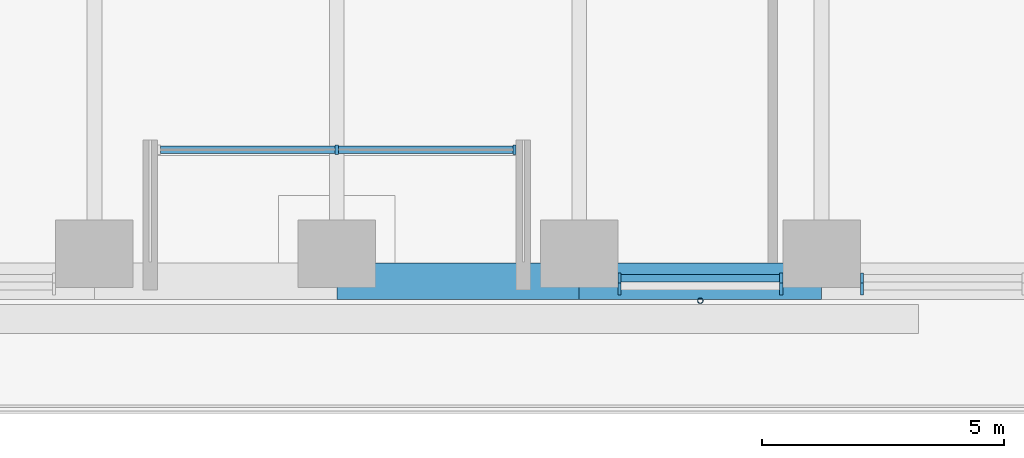
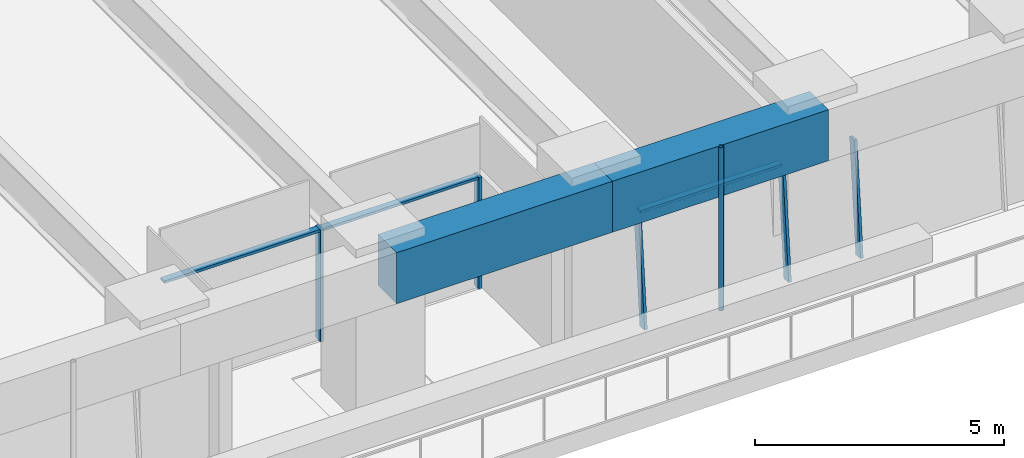
# One storey, part 4 of 24: 8 members, 2 beams, 3 elements without a shape of their own.
"""IFC4 building model written with IfcOpenShell, lengths in metres."""

import ifcopenshell
import ifcopenshell.guid

model = None  # the IFC model being written
_history = None  # IfcOwnerHistory: only IFC2X3 demands one
_inside = {}  # id of a spatial element -> (the spatial element, [elements in it])
_under = {}  # id of a project, library or spatial element -> (it, [spatial elements below it])
_declared = {}  # id of a project -> (the project, [libraries it declares])
_typed = {}  # id of a type object -> (the type object, [elements of that type])
_made_of = {}  # id of a material, layer set ... -> (it, [elements and type objects made of it])


def new_model(schema):
    """Start an empty IFC model of exactly this schema.

    Asked for "IFC4X3", IfcOpenShell would pick the latest addendum, in which some entities
    have other attributes; the version numbers below select the first issue.
    IFC2X3 requires an IfcOwnerHistory on every rooted entity: one is made here for all.
    """
    global model, _history
    if schema == "IFC4X3":
        model = ifcopenshell.file(schema_version=(4, 3, 0, 0))
    else:
        model = ifcopenshell.file(schema=schema)
    _inside.clear()
    _under.clear()
    _declared.clear()
    _typed.clear()
    _made_of.clear()
    _history = None
    if model.schema == "IFC2X3":
        org = make("IfcOrganization", Name="unknown")
        user = make(
            "IfcPersonAndOrganization",
            ThePerson=make("IfcPerson", FamilyName="unknown"),
            TheOrganization=org,
        )
        app = make(
            "IfcApplication",
            ApplicationDeveloper=org,
            Version="unknown",
            ApplicationFullName="unknown",
            ApplicationIdentifier="unknown",
        )
        _history = make(
            "IfcOwnerHistory",
            OwningUser=user,
            OwningApplication=app,
            ChangeAction="ADDED",
            CreationDate=0,
        )
    return model


def make(cls, **values):
    """One entity of the class cls with the attributes given. An attribute that is None is left unset."""
    return model.create_entity(
        cls, **{name: value for name, value in values.items() if value is not None}
    )


def rooted(cls, **values):
    """An entity with a GlobalId (a new one), such as an element, a storey or a relation."""
    return make(cls, GlobalId=ifcopenshell.guid.new(), OwnerHistory=_history, **values)


def si_unit(unit_type, name, prefix=None):
    """IfcSIUnit, for example si_unit("LENGTHUNIT", "METRE", prefix="MILLI")."""
    return make("IfcSIUnit", UnitType=unit_type, Prefix=prefix, Name=name)


def assignment(units):
    """IfcUnitAssignment: the units of a project."""
    return None if units is None else make("IfcUnitAssignment", Units=units)


def point(xyz):
    """IfcCartesianPoint."""
    return None if xyz is None else make("IfcCartesianPoint", Coordinates=xyz)


def direction(xyz):
    """IfcDirection."""
    return None if xyz is None else make("IfcDirection", DirectionRatios=xyz)


def frame(location, z_axis=None, x_axis=None):
    """IfcAxis2Placement3D, a coordinate frame: its origin and axes. An axis left out is left unset."""
    return make(
        "IfcAxis2Placement3D",
        Location=point(location),
        Axis=direction(z_axis),
        RefDirection=direction(x_axis),
    )


def frame_2d(location, x_axis=None):
    """IfcAxis2Placement2D, a coordinate frame in the plane: its origin and x axis."""
    return make(
        "IfcAxis2Placement2D", Location=point(location), RefDirection=direction(x_axis)
    )


def origin():
    """The frame at (0, 0, 0) with its axes left unset."""
    return frame((0.0, 0.0, 0.0))


def origin_2d():
    """The frame at (0, 0) in the plane with its x axis left unset."""
    return frame_2d((0.0, 0.0))


def place(relative_to, where):
    """IfcLocalPlacement: puts the frame where relative to a parent placement (None: the world)."""
    return make(
        "IfcLocalPlacement", PlacementRelTo=relative_to, RelativePlacement=where
    )


def context(
    kind, dimensions, precision=None, world=None, true_north=None, identifier=None
):
    """IfcGeometricRepresentationContext, for example the 3D "Model" context."""
    return make(
        "IfcGeometricRepresentationContext",
        ContextIdentifier=identifier,
        ContextType=kind,
        CoordinateSpaceDimension=dimensions,
        Precision=precision,
        WorldCoordinateSystem=world,
        TrueNorth=true_north,
    )


def subcontext(parent, identifier, kind, view, scale=None):
    """IfcGeometricRepresentationSubContext, for example "Body" below "Model"."""
    return make(
        "IfcGeometricRepresentationSubContext",
        ContextIdentifier=identifier,
        ContextType=kind,
        ParentContext=parent,
        TargetScale=scale,
        TargetView=view,
    )


def project(units=None, contexts=None):
    """IfcProject with its units and contexts."""
    return rooted(
        "IfcProject",
        Name="project",
        RepresentationContexts=contexts,
        UnitsInContext=assignment(units),
    )


def spatial(cls, under=None, at=None, **own):
    """A site, building, storey or space (cls), placed at a placement, below another one or the project."""
    s = rooted(cls, ObjectPlacement=at, **own)
    if under is not None:
        _under.setdefault(under.id(), (under, []))[1].append(s)
    return s


def profile(cls, at=None, kind="AREA", **sizes):
    """A parametric profile (cls). Its sizes go by their IFC names, for example OverallWidth=200.0."""
    return make(cls, ProfileType=kind, Position=at, **sizes)


def rectangle(**sizes):
    """IfcRectangleProfileDef."""
    return profile("IfcRectangleProfileDef", **sizes)


def hollow_circle(**sizes):
    """IfcCircleHollowProfileDef."""
    return profile("IfcCircleHollowProfileDef", **sizes)


def extrude(swept, where, along, depth):
    """IfcExtrudedAreaSolid: the profile swept, set in the frame where, extruded along a direction by depth."""
    return make(
        "IfcExtrudedAreaSolid",
        SweptArea=swept,
        Position=where,
        ExtrudedDirection=direction(along),
        Depth=depth,
    )


def shape(context_of_items, identifier, shape_type, items):
    """IfcShapeRepresentation: the items that make up one representation, for example the "Body"."""
    return make(
        "IfcShapeRepresentation",
        ContextOfItems=context_of_items,
        RepresentationIdentifier=identifier,
        RepresentationType=shape_type,
        Items=items,
    )


def material(Name=None, Category=None):
    """IfcMaterial."""
    return make("IfcMaterial", Name=Name, Category=Category)


def material_profile(
    of_material, cross_section, Name=None, Category=None, Priority=None
):
    """IfcMaterialProfile: a cross section and its material."""
    return make(
        "IfcMaterialProfile",
        Name=Name,
        Material=of_material,
        Profile=cross_section,
        Priority=Priority,
        Category=Category,
    )


def profile_set(profiles, Name=None, composite=None):
    """IfcMaterialProfileSet."""
    return make(
        "IfcMaterialProfileSet",
        Name=Name,
        MaterialProfiles=profiles,
        CompositeProfile=composite,
    )


def made_of(thing, what):
    """Note that an element or type object is made of a material, layer set ...; save() writes the relation."""
    if what is not None:
        _made_of.setdefault(what.id(), (what, []))[1].append(thing)
    return thing


def type_object(cls, material=None, **own):
    """A type object (cls), such as IfcWallType, which elements share."""
    return made_of(rooted(cls, **own), material)


def element(
    cls,
    number,
    at=None,
    inside=None,
    cuts=None,
    type_object=None,
    material=None,
    context=None,
    identifier="Body",
    shape_type=None,
    held_by="IfcProductDefinitionShape",
    body=None,
    shapes=None,
    **own,
):
    """One element of the class cls, such as IfcWall. Its Tag is "e" and its number.

    at: its placement. inside: the storey or other place that contains it. cuts: it is an
    opening in that element (IfcRelVoidsElement). A single representation is given by context,
    identifier, shape_type and body (its items); several are given by shapes. held_by: the class
    of the entity that holds the representations. save() writes the other relations.
    """
    e = rooted(cls, Tag="e%d" % number, ObjectPlacement=at, **own)
    if body is not None:
        shapes = [shape(context, identifier, shape_type, body)]
    if shapes is not None:
        e.Representation = make(held_by, Representations=shapes)
    if inside is not None:
        _inside.setdefault(inside.id(), (inside, []))[1].append(e)
    if cuts is not None:
        rooted(
            "IfcRelVoidsElement", RelatingBuildingElement=cuts, RelatedOpeningElement=e
        )
    if type_object is not None:
        _typed.setdefault(type_object.id(), (type_object, []))[1].append(e)
    return made_of(e, material)


def aggregate(whole, parts):
    """IfcRelAggregates: a whole, such as a stair, and the parts it consists of."""
    return rooted("IfcRelAggregates", RelatingObject=whole, RelatedObjects=parts)


def save(model, path):
    """Write the relations noted so far, then the file.

    IfcRelAggregates (storeys below a building ...), IfcRelContainedInSpatialStructure (elements
    in a storey), IfcRelDefinesByType, IfcRelAssociatesMaterial and IfcRelDeclares: one each for
    every whole, place, type object, material and project.
    """
    for whole, parts in _under.values():
        aggregate(whole, parts)
    for where, things in _inside.values():
        rooted(
            "IfcRelContainedInSpatialStructure",
            RelatedElements=things,
            RelatingStructure=where,
        )
    for kind, things in _typed.values():
        rooted("IfcRelDefinesByType", RelatedObjects=things, RelatingType=kind)
    for what, things in _made_of.values():
        rooted("IfcRelAssociatesMaterial", RelatedObjects=things, RelatingMaterial=what)
    for by, libraries in _declared.values():
        rooted("IfcRelDeclares", RelatingContext=by, RelatedDefinitions=libraries)
    model.write(path)


model = new_model("IFC4")

# Units and contexts
model_context = context("Model", 3, precision=1e-05, world=origin(), true_north=direction((0.0, 1.0)))
body_context = subcontext(model_context, "Body", "Model", "MODEL_VIEW")
ifc_project = project(units=[si_unit("LENGTHUNIT", "METRE"), si_unit("AREAUNIT", "SQUARE_METRE"), si_unit("VOLUMEUNIT", "CUBIC_METRE"), si_unit("PLANEANGLEUNIT", "RADIAN"), si_unit("MASSUNIT", "GRAM", prefix="KILO")], contexts=[model_context])

# Site, building, storey
site_placement = place(None, origin())
site = spatial("IfcSite", under=ifc_project, at=site_placement, CompositionType="ELEMENT")
building_placement = place(site_placement, origin())
building = spatial("IfcBuilding", under=site, at=building_placement, Name="Tarfa Lantern Tower", CompositionType="ELEMENT")
storey_placement = place(building_placement, frame((0.0, 0.0, 165.699951171875)))
storey = spatial("IfcBuildingStorey", under=building, at=storey_placement, Name="L37", CompositionType="ELEMENT", Elevation=165.699951171875)

# Curtain wall, members
ifc_material_1 = material(Name="Aluminium framed curtain wall", Category="aluminium")
curtain_wall_type_1 = type_object("IfcCurtainWallType", Name="CW2 CANTED GLAZING MID ZONE 2750", PredefinedType="USERDEFINED", material=ifc_material_1)
curtain_wall_1_placement = place(storey_placement, origin())
curtain_wall_1 = element("IfcCurtainWall", 1, at=curtain_wall_1_placement, inside=storey, type_object=curtain_wall_type_1, Name="CW2 SB L37", ObjectType="CURTAIN WALL", PredefinedType="USERDEFINED")
ifc_material_2 = material(Name="Aluminium mullion", Category="aluminium")
ifc_material_profile_1 = material_profile(ifc_material_2, rectangle(XDim=0.06494140625, YDim=0.199951171875, at=origin_2d()), Name="AL MULLION 65x200")
ifc_profile_set_1 = profile_set([ifc_material_profile_1], Name="Aluminium mullion")
member_type_1 = type_object("IfcMemberType", Name="CWM1 MULLION 65x200", PredefinedType="MULLION", material=ifc_profile_set_1)
member_1_placement = place(storey_placement, frame((5.836181640625, -31.39990234375, 0.0), z_axis=(0.0, 0.090535746043, 0.995893206468), x_axis=(-1.0, 0.0, 0.0)))
member_1 = element("IfcMember", 2, at=member_1_placement, type_object=member_type_1, Name="CW2 mullion 1", PredefinedType="MULLION", context=body_context, shape_type="SweptSolid", body=[
    extrude(rectangle(XDim=0.06494140625, YDim=0.199951171875, at=origin_2d()), origin(), (0.0, 0.0, 1.0), 2.76123046875),
])
member_2_placement = place(storey_placement, frame((9.1748046875, -31.39990234375, 0.0), z_axis=(0.0, 0.090535746043, 0.995893206468), x_axis=(-1.0, 0.0, 0.0)))
member_2 = element("IfcMember", 3, at=member_2_placement, type_object=member_type_1, Name="CW2 mullion 2", PredefinedType="MULLION", context=body_context, shape_type="SweptSolid", body=[
    extrude(rectangle(XDim=0.06494140625, YDim=0.199951171875, at=origin_2d()), origin(), (0.0, 0.0, 1.0), 2.76123046875),
])

# Curtain wall, member
curtain_wall_2_placement = place(storey_placement, origin())
curtain_wall_2 = element("IfcCurtainWall", 4, at=curtain_wall_2_placement, inside=storey, type_object=curtain_wall_type_1, Name="CW2 SB L37", ObjectType="CURTAIN WALL", PredefinedType="USERDEFINED")
member_3_placement = place(storey_placement, frame((10.83984375, -31.39990234375, 0.0), z_axis=(0.0, 0.090535746043, 0.995893206468), x_axis=(-1.0, 0.0, 0.0)))
member_3 = element("IfcMember", 5, at=member_3_placement, type_object=member_type_1, Name="CW2 mullion 1", PredefinedType="MULLION", context=body_context, shape_type="SweptSolid", body=[
    extrude(rectangle(XDim=0.06494140625, YDim=0.199951171875, at=origin_2d()), origin(), (0.0, 0.0, 1.0), 2.76123046875),
])
aggregate(curtain_wall_2, [member_3])

# Curtain wall, members
curtain_wall_type_2 = type_object("IfcCurtainWallType", Name="CW10 LOGGIA GLAZING 2750", PredefinedType="USERDEFINED", material=ifc_material_1)
curtain_wall_3_placement = place(storey_placement, origin())
curtain_wall_3 = element("IfcCurtainWall", 6, at=curtain_wall_3_placement, inside=storey, type_object=curtain_wall_type_2, Name="CW10 SL L37", ObjectType="CURTAIN WALL", PredefinedType="USERDEFINED")
member_4_placement = place(storey_placement, frame((0.0, -28.5, 0.0), z_axis=(0.0, 0.0, 1.0), x_axis=(1.0, 0.0, 0.0)))
member_4 = element("IfcMember", 7, at=member_4_placement, type_object=member_type_1, Name="CW10 mullion 2", PredefinedType="MULLION", context=body_context, shape_type="SweptSolid", body=[
    extrude(rectangle(XDim=0.06494140625, YDim=0.199951171875, at=origin_2d()), origin(), (0.0, 0.0, 1.0), 2.75),
])
member_5_placement = place(storey_placement, frame((3.671142578125, -28.5, 0.0), z_axis=(0.0, 0.0, 1.0), x_axis=(1.0, 0.0, 0.0)))
member_5 = element("IfcMember", 8, at=member_5_placement, type_object=member_type_1, Name="CW10 mullion 3", PredefinedType="MULLION", context=body_context, shape_type="SweptSolid", body=[
    extrude(rectangle(XDim=0.06494140625, YDim=0.199951171875, at=origin_2d()), origin(), (0.0, 0.0, 1.0), 2.75),
])

# Member
ifc_material_3 = material(Name="Aluminium transom", Category="aluminium")
ifc_material_profile_2 = material_profile(ifc_material_3, rectangle(XDim=0.14990234375, YDim=0.06494140625, at=origin_2d()), Name="AL TRANSOM 150x65")
ifc_profile_set_2 = profile_set([ifc_material_profile_2], Name="Aluminium transom")
member_type_2 = type_object("IfcMemberType", Name="CWT1 TRANSOM 150x65", PredefinedType="USERDEFINED", material=ifc_profile_set_2)
member_6_placement = place(storey_placement, frame((5.86865234375, -31.153076171875, 2.717529296875), z_axis=(1.0, 0.0, 0.0), x_axis=(0.0, 1.0, 0.0)))
member_6 = element("IfcMember", 9, at=member_6_placement, type_object=member_type_2, Name="CW2 transom 1.2", ObjectType="TRANSOM", PredefinedType="USERDEFINED", context=body_context, shape_type="SweptSolid", body=[
    extrude(rectangle(XDim=0.14990234375, YDim=0.06494140625, at=origin_2d()), origin(), (0.0, 0.0, 1.0), 3.273681640625),
])

aggregate(curtain_wall_1, [member_1, member_2, member_6])

member_7_placement = place(storey_placement, frame((-3.638671875, -28.5, 2.717529296875), z_axis=(1.0, 0.0, 0.0), x_axis=(0.0, 1.0, 0.0)))
member_7 = element("IfcMember", 10, at=member_7_placement, type_object=member_type_2, Name="CW10 transom 1.2", ObjectType="TRANSOM", PredefinedType="USERDEFINED", context=body_context, shape_type="SweptSolid", body=[
    extrude(rectangle(XDim=0.14990234375, YDim=0.06494140625, at=origin_2d()), origin(), (0.0, 0.0, 1.0), 7.27734375),
])

aggregate(curtain_wall_3, [member_4, member_5, member_7])

# Beams
ifc_material_4 = material(Name="Concrete C80/95", Category="concrete")
ifc_material_profile_3 = material_profile(ifc_material_4, rectangle(XDim=0.75, YDim=1.25, at=origin_2d()), Name="RC 750x1250")
ifc_profile_set_3 = profile_set([ifc_material_profile_3], Name="Concrete C80/95")
beam_type = type_object("IfcBeamType", Name="EB2 RC 750x1250", PredefinedType="SPANDREL", material=ifc_profile_set_3)
for number, where, z_axis, x_axis, name in (
    (11, (0.0, -31.219970703125, 3.375), (1.0, 0.0, 0.0), (0.0, 1.0, 0.0), "Edge beam S3"),
    (12, (5.003662109375, -31.219970703125, 3.375), (1.0, 0.0, 0.0), (0.0, 1.0, 0.0), "Edge beam S4"),
):
    element("IfcBeam", number, at=place(storey_placement, frame(where, z_axis=z_axis, x_axis=x_axis)), inside=storey, type_object=beam_type, Name=name, PredefinedType="SPANDREL", context=body_context, shape_type="SweptSolid", body=[
        extrude(rectangle(XDim=0.75, YDim=1.25, at=origin_2d()), origin(), (0.0, 0.0, 1.0), 5.003662109375),
    ])

# Member
ifc_material_5 = material(Name="Steel S355", Category="steel")
ifc_material_profile_4 = material_profile(ifc_material_5, hollow_circle(Radius=0.05712890625, WallThickness=0.00634765625, at=origin_2d()), Name="CHS114.3x6.3")
ifc_profile_set_4 = profile_set([ifc_material_profile_4], Name="Steel S355")
member_type_3 = type_object("IfcMemberType", Name="TR1 GREEN WALL TRELLIS CHS114.3x6.3", PredefinedType="USERDEFINED", material=ifc_profile_set_4)
member_8_placement = place(storey_placement, frame((7.505615234375, -31.6201171875, 0.0), z_axis=(0.0, 0.0, 1.0), x_axis=(1.0, 0.0, 0.0)))
element("IfcMember", 13, at=member_8_placement, inside=storey, type_object=member_type_3, Name="Trellis post S 2", ObjectType="TRELLIS", PredefinedType="USERDEFINED", context=body_context, shape_type="SweptSolid", body=[
    extrude(hollow_circle(Radius=0.05712890625, WallThickness=0.00634765625, at=origin_2d()), origin(), (0.0, 0.0, 1.0), 4.0),
])

save(model, "model.ifc")
